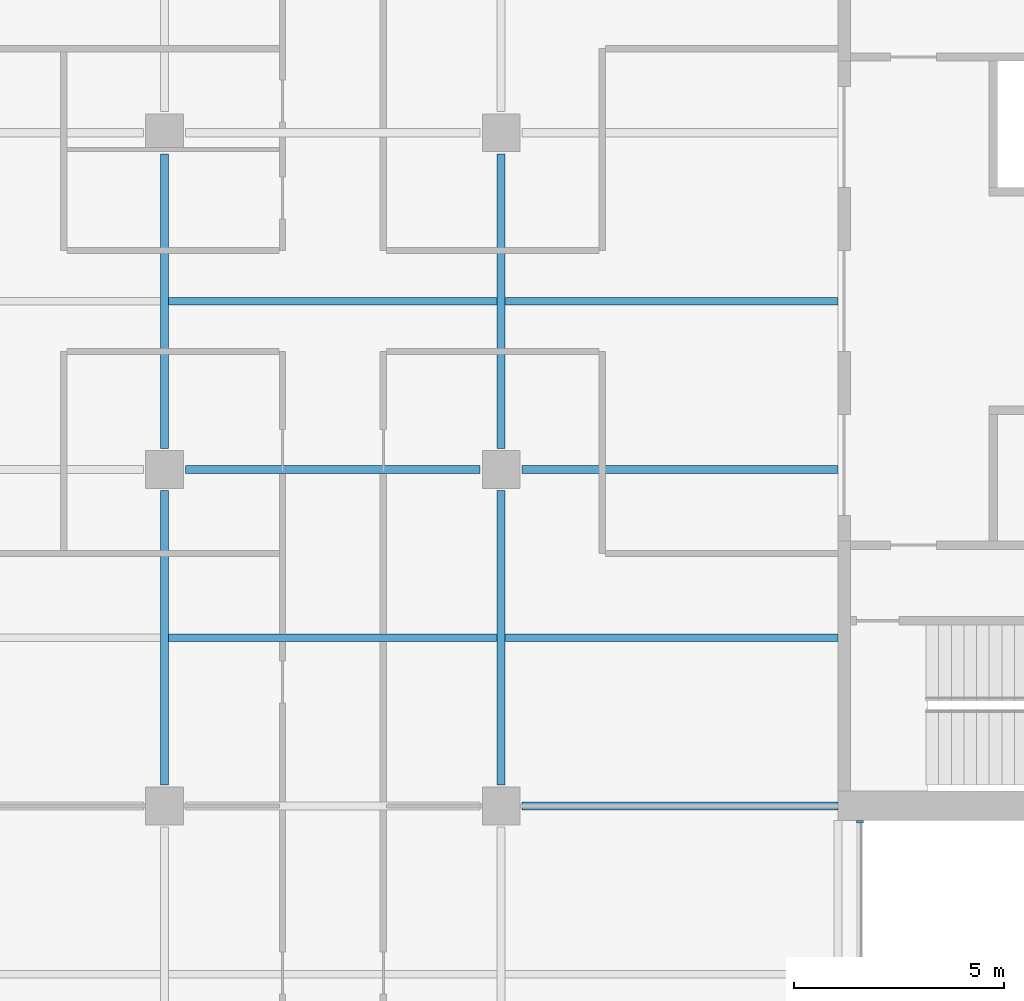
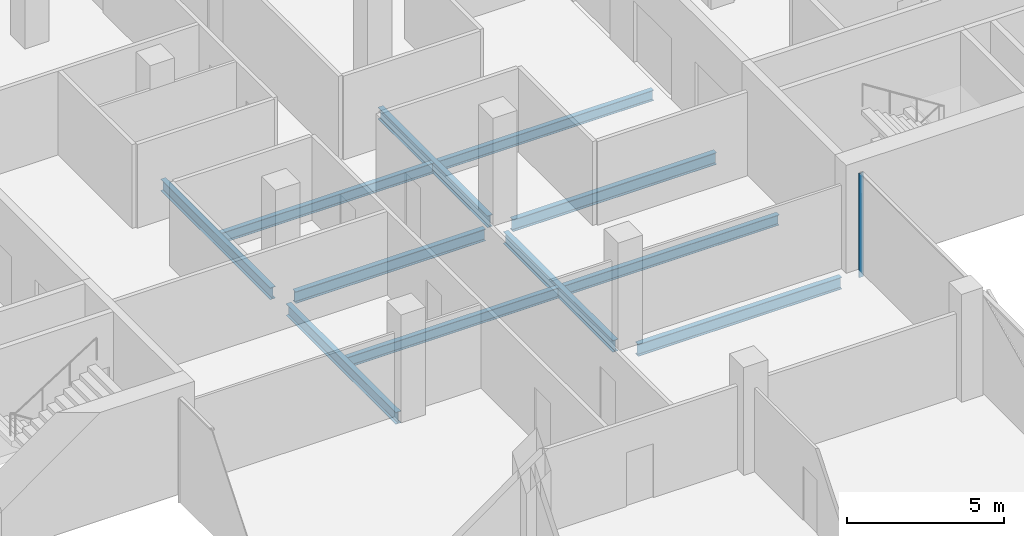
# One storey, part 6 of 22: 11 beams, 1 member, 1 element without a shape of its own.
"""IFC4 building model written with IfcOpenShell, lengths in metres."""

from ifc_helpers import new_model, si_unit, direction, frame, origin, origin_2d, place, context, subcontext, project, spatial, rectangle, i_section, extrude, material, material_profile, profile_set, type_object, element, aggregate, save


model = new_model("IFC4")

# Units and contexts
model_context = context("Model", 3, precision=1e-05, world=origin(), true_north=direction((0.0, 1.0)))
body_context = subcontext(model_context, "Body", "Model", "MODEL_VIEW")
ifc_project = project(units=[si_unit("LENGTHUNIT", "METRE"), si_unit("AREAUNIT", "SQUARE_METRE"), si_unit("VOLUMEUNIT", "CUBIC_METRE"), si_unit("PLANEANGLEUNIT", "RADIAN"), si_unit("MASSUNIT", "GRAM", prefix="KILO")], contexts=[model_context])

# Site, building, storey
site_placement = place(None, origin())
site = spatial("IfcSite", under=ifc_project, at=site_placement, CompositionType="ELEMENT")
building_placement = place(site_placement, origin())
building = spatial("IfcBuilding", under=site, at=building_placement, Name="Crosswind Convention Tower", CompositionType="ELEMENT")
storey_placement = place(building_placement, frame((0.0, 0.0, 167.300048828125)))
storey = spatial("IfcBuildingStorey", under=building, at=storey_placement, Name="L35", CompositionType="ELEMENT", Elevation=167.300048828125)

# Beams
ifc_material_1 = material(Name="Steel S355", Category="steel")
ifc_material_profile_1 = material_profile(ifc_material_1, i_section(OverallWidth=0.19140625, OverallDepth=0.460205078125, WebThickness=0.010009765625, FlangeThickness=0.01611328125, FilletRadius=0.01025390625, at=origin_2d()), Name="UB 457x191x82")
ifc_profile_set_1 = profile_set([ifc_material_profile_1], Name="Steel S355")
beam_type_1 = type_object("IfcBeamType", Name="Girder UB 457x191x82", PredefinedType="BEAM", material=ifc_profile_set_1)
for number, where, z_axis, x_axis, name in (
    (1, (121.0, 88.5, -0.530029296875), (0.0, 1.0, 0.0), (-1.0, 0.0, 0.0), "B3 L35 girder 5"),
    (2, (121.0, 96.5, -0.530029296875), (0.0, 1.0, 0.0), (-1.0, 0.0, 0.0), "B3 L35 girder 6"),
    (3, (121.5, 96.0, -0.530029296875), (1.0, 0.0, 0.0), (0.0, 1.0, 0.0), "B3 L35 girder 12"),
    (4, (129.0, 88.5, -0.530029296875), (0.0, 1.0, 0.0), (-1.0, 0.0, 0.0), "B3 L35 girder 18"),
    (5, (129.0, 96.5, -0.530029296875), (0.0, 1.0, 0.0), (-1.0, 0.0, 0.0), "B3 L35 girder 19"),
):
    element("IfcBeam", number, at=place(storey_placement, frame(where, z_axis=z_axis, x_axis=x_axis)), inside=storey, type_object=beam_type_1, Name=name, PredefinedType="BEAM", context=body_context, shape_type="SweptSolid", body=[
        extrude(i_section(OverallWidth=0.19140625, OverallDepth=0.460205078125, WebThickness=0.010009765625, FlangeThickness=0.01611328125, FilletRadius=0.01025390625, at=origin_2d()), origin(), (0.0, 0.0, 1.0), 7.0),
    ])
ifc_material_profile_2 = material_profile(ifc_material_1, i_section(OverallWidth=0.19189453125, OverallDepth=0.463623046875, WebThickness=0.010498046875, FlangeThickness=0.017578125, FilletRadius=0.01025390625, at=origin_2d()), Name="UB 457x191x90")
ifc_profile_set_2 = profile_set([ifc_material_profile_2], Name="Steel S355")
beam_type_2 = type_object("IfcBeamType", Name="Girder at core wall UB 457x191x90", PredefinedType="BEAM", material=ifc_profile_set_2)
for number, where, z_axis, x_axis, name in (
    (6, (129.5, 88.0, -0.53173828125), (1.0, 0.0, 0.0), (0.0, 1.0, 0.0), "B24 L35 girder at core wall 7"),
    (7, (129.5, 96.0, -0.53173828125), (1.0, 0.0, 0.0), (0.0, 1.0, 0.0), "B24 L35 girder at core wall 8"),
):
    element("IfcBeam", number, at=place(storey_placement, frame(where, z_axis=z_axis, x_axis=x_axis)), inside=storey, type_object=beam_type_2, Name=name, PredefinedType="BEAM", context=body_context, shape_type="SweptSolid", body=[
        extrude(i_section(OverallWidth=0.19189453125, OverallDepth=0.463623046875, WebThickness=0.010498046875, FlangeThickness=0.017578125, FilletRadius=0.01025390625, at=origin_2d()), origin(), (0.0, 0.0, 1.0), 7.5),
    ])

# Curtain wall, member
ifc_material_2 = material(Name="Aluminium unitised curtain wall", Category="aluminium")
curtain_wall_type = type_object("IfcCurtainWallType", Name="CORE END SLOT WALL 160", PredefinedType="USERDEFINED", material=ifc_material_2)
curtain_wall_placement = place(storey_placement, origin())
curtain_wall = element("IfcCurtainWall", 8, at=curtain_wall_placement, inside=storey, type_object=curtain_wall_type, Name="CW6 L35 S-E.1-2 slot", ObjectType="UNITISED", PredefinedType="USERDEFINED")
ifc_material_3 = material(Name="Aluminium mullion", Category="aluminium")
ifc_material_profile_3 = material_profile(ifc_material_3, rectangle(XDim=0.159912109375, YDim=0.050048828125, at=origin_2d()), Name="AL 160X50")
ifc_profile_set_3 = profile_set([ifc_material_profile_3], Name="Aluminium mullion")
member_type = type_object("IfcMemberType", Name="MULLION 50X160", PredefinedType="MULLION", material=ifc_profile_set_3)
member_placement = place(storey_placement, frame((137.530029296875, 87.625, -0.300048828125), z_axis=(0.0, 0.0, 1.0), x_axis=(1.0, 0.0, 0.0)))
member = element("IfcMember", 9, at=member_placement, type_object=member_type, Name="CW6 mullion 2", PredefinedType="MULLION", context=body_context, shape_type="SweptSolid", body=[
    extrude(rectangle(XDim=0.159912109375, YDim=0.050048828125, at=origin_2d()), origin(), (0.0, 0.0, 1.0), 4.050048828125),
])
aggregate(curtain_wall, [member])

# Beams
ifc_material_profile_4 = material_profile(ifc_material_1, i_section(OverallWidth=0.177734375, OverallDepth=0.406494140625, WebThickness=0.0078125, FlangeThickness=0.0126953125, FilletRadius=0.01025390625, at=origin_2d()), Name="UB 406x178x60")
ifc_profile_set_4 = profile_set([ifc_material_profile_4], Name="Steel S355")
beam_type_3 = type_object("IfcBeamType", Name="Secondary beam UB 406x178x60", PredefinedType="JOIST", material=ifc_profile_set_4)
for number, where, z_axis, x_axis, name in (
    (10, (121.095703125, 92.0, -0.503173828125), (1.0, 0.0, 0.0), (0.0, 1.0, 0.0), "B10 L35 secondary beam 13"),
    (11, (121.095703125, 100.0, -0.503173828125), (1.0, 0.0, 0.0), (0.0, 1.0, 0.0), "B10 L35 secondary beam 14"),
):
    element("IfcBeam", number, at=place(storey_placement, frame(where, z_axis=z_axis, x_axis=x_axis)), inside=storey, type_object=beam_type_3, Name=name, PredefinedType="JOIST", context=body_context, shape_type="SweptSolid", body=[
        extrude(i_section(OverallWidth=0.177734375, OverallDepth=0.406494140625, WebThickness=0.0078125, FlangeThickness=0.0126953125, FilletRadius=0.01025390625, at=origin_2d()), origin(), (0.0, 0.0, 1.0), 7.80859375),
    ])
for number, where, z_axis, x_axis, name in (
    (12, (129.095703125, 92.0, -0.503173828125), (1.0, 0.0, 0.0), (0.0, 1.0, 0.0), "B10 L35 secondary beam 20"),
    (13, (129.095703125, 100.0, -0.503173828125), (1.0, 0.0, 0.0), (0.0, 1.0, 0.0), "B10 L35 secondary beam 21"),
):
    element("IfcBeam", number, at=place(storey_placement, frame(where, z_axis=z_axis, x_axis=x_axis)), inside=storey, type_object=beam_type_3, Name=name, PredefinedType="JOIST", context=body_context, shape_type="SweptSolid", body=[
        extrude(i_section(OverallWidth=0.177734375, OverallDepth=0.406494140625, WebThickness=0.0078125, FlangeThickness=0.0126953125, FilletRadius=0.01025390625, at=origin_2d()), origin(), (0.0, 0.0, 1.0), 7.904296875),
    ])

save(model, "model.ifc")
